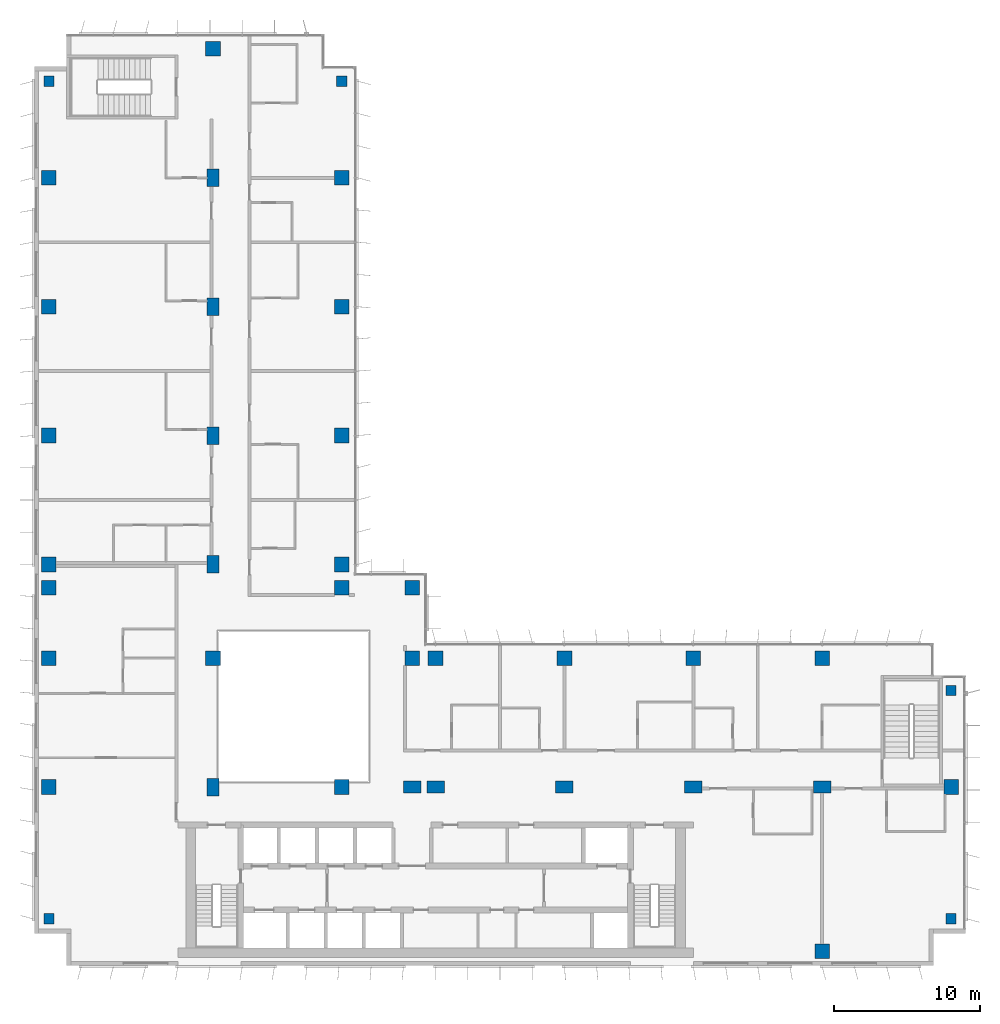
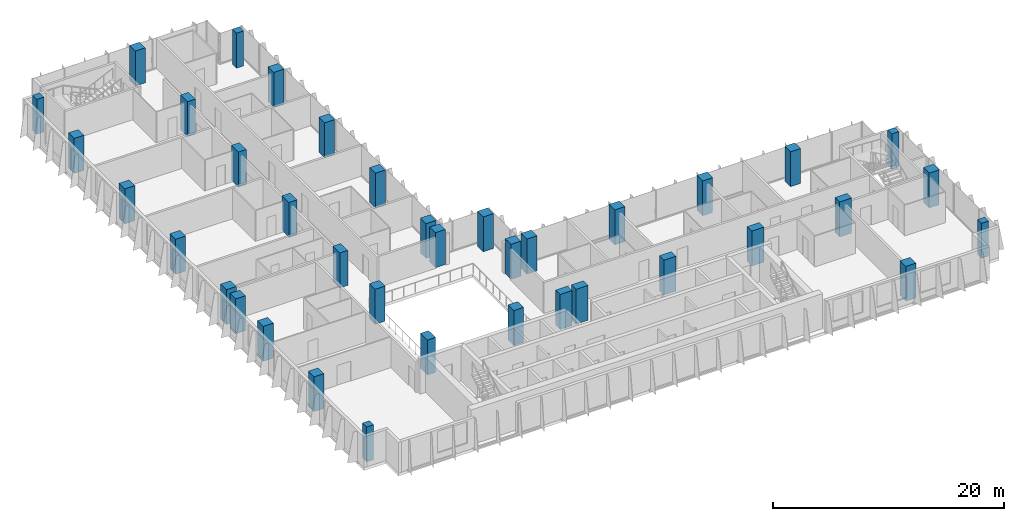
# One storey, part 1 of 20: 38 columns.
"""IFC4 building model written with IfcOpenShell, lengths in metres."""

from ifc_helpers import new_model, si_unit, direction, frame, origin, origin_2d, place, context, subcontext, project, spatial, rectangle, extrude, material, material_profile, profile_set, type_object, element, save


model = new_model("IFC4")

# Units and contexts
model_context = context("Model", 3, precision=1e-05, world=origin(), true_north=direction((0.0, 1.0)))
body_context = subcontext(model_context, "Body", "Model", "MODEL_VIEW")
ifc_project = project(units=[si_unit("LENGTHUNIT", "METRE"), si_unit("AREAUNIT", "SQUARE_METRE"), si_unit("VOLUMEUNIT", "CUBIC_METRE"), si_unit("PLANEANGLEUNIT", "RADIAN"), si_unit("MASSUNIT", "GRAM", prefix="KILO")], contexts=[model_context])

# Site, building, storey
site_placement = place(None, origin())
site = spatial("IfcSite", under=ifc_project, at=site_placement, CompositionType="ELEMENT")
building_placement = place(site_placement, origin())
building = spatial("IfcBuilding", under=site, at=building_placement, Name="Kemantara Hotel Tower", CompositionType="ELEMENT")
storey_placement = place(building_placement, frame((0.0, 0.0, 190.10009765625)))
storey = spatial("IfcBuildingStorey", under=building, at=storey_placement, Name="L47", CompositionType="ELEMENT", Elevation=190.10009765625)

# Columns
ifc_material = material(Name="Concrete fc 60 MPa", Category="concrete")
ifc_material_profile_1 = material_profile(ifc_material, rectangle(XDim=1.0, YDim=1.0, at=origin_2d()), Name="RC 1000X1000")
ifc_profile_set_1 = profile_set([ifc_material_profile_1], Name="Concrete fc 60 MPa")
column_type_1 = type_object("IfcColumnType", Name="RC COLUMN 1000X1000 FC60", PredefinedType="COLUMN", material=ifc_profile_set_1)
for number, where, z_axis, x_axis, name in (
    (1, (1.0, 12.199951171875, 0.0), (0.0, 0.0, 1.0), (1.0, 0.0, 0.0), "COLUMN 1/BA L47"),
    (2, (1.0, 21.0, 0.0), (0.0, 0.0, 1.0), (1.0, 0.0, 0.0), "COLUMN 1/C L47"),
    (3, (1.0, 25.800048828125, 0.0), (0.0, 0.0, 1.0), (1.0, 0.0, 0.0), "COLUMN 1/CA L47"),
    (4, (1.0, 27.39990234375, 0.0), (0.0, 0.0, 1.0), (1.0, 0.0, 0.0), "COLUMN 1/D L47"),
    (5, (1.0, 36.199951171875, 0.0), (0.0, 0.0, 1.0), (1.0, 0.0, 0.0), "COLUMN 1/E L47"),
    (6, (1.0, 45.0, 0.0), (0.0, 0.0, 1.0), (1.0, 0.0, 0.0), "COLUMN 1/F L47"),
    (7, (1.0, 53.800048828125, 0.0), (0.0, 0.0, 1.0), (1.0, 0.0, 0.0), "COLUMN 1/G L47"),
    (8, (12.199951171875, 21.0, 0.0), (0.0, 0.0, 1.0), (1.0, 0.0, 0.0), "COLUMN 2A/C L47"),
    (9, (12.199951171875, 62.60009765625, 0.0), (0.0, 0.0, 1.0), (1.0, 0.0, 0.0), "COLUMN 2A/H L47"),
    (10, (21.0, 12.199951171875, 0.0), (0.0, 0.0, 1.0), (1.0, 0.0, 0.0), "COLUMN 3/BA L47"),
    (11, (21.0, 25.800048828125, 0.0), (0.0, 0.0, 1.0), (1.0, 0.0, 0.0), "COLUMN 3/CA L47"),
    (12, (21.0, 27.39990234375, 0.0), (0.0, 0.0, 1.0), (1.0, 0.0, 0.0), "COLUMN 3/D L47"),
    (13, (21.0, 36.199951171875, 0.0), (0.0, 0.0, 1.0), (1.0, 0.0, 0.0), "COLUMN 3/E L47"),
    (14, (21.0, 45.0, 0.0), (0.0, 0.0, 1.0), (1.0, 0.0, 0.0), "COLUMN 3/F L47"),
    (15, (21.0, 53.800048828125, 0.0), (0.0, 0.0, 1.0), (1.0, 0.0, 0.0), "COLUMN 3/G L47"),
    (16, (25.800048828125, 21.0, 0.0), (0.0, 0.0, 1.0), (1.0, 0.0, 0.0), "COLUMN 3A/C L47"),
    (17, (25.800048828125, 25.800048828125, 0.0), (0.0, 0.0, 1.0), (1.0, 0.0, 0.0), "COLUMN 3A/CA L47"),
    (18, (27.39990234375, 21.0, 0.0), (0.0, 0.0, 1.0), (1.0, 0.0, 0.0), "COLUMN 4/C L47"),
    (19, (36.199951171875, 21.0, 0.0), (0.0, 0.0, 1.0), (1.0, 0.0, 0.0), "COLUMN 5/C L47"),
    (20, (45.0, 21.0, 0.0), (0.0, 0.0, 1.0), (1.0, 0.0, 0.0), "COLUMN 6/C L47"),
    (21, (53.800048828125, 1.0, 0.0), (0.0, 0.0, 1.0), (1.0, 0.0, 0.0), "COLUMN 7/A L47"),
    (22, (53.800048828125, 21.0, 0.0), (0.0, 0.0, 1.0), (1.0, 0.0, 0.0), "COLUMN 7/C L47"),
    (23, (62.60009765625, 12.199951171875, 0.0), (0.0, 0.0, 1.0), (1.0, 0.0, 0.0), "COLUMN 8/BA L47"),
):
    element("IfcColumn", number, at=place(storey_placement, frame(where, z_axis=z_axis, x_axis=x_axis)), inside=storey, type_object=column_type_1, Name=name, PredefinedType="COLUMN", context=body_context, shape_type="SweptSolid", body=[
        extrude(rectangle(XDim=1.0, YDim=1.0, at=origin_2d()), origin(), (0.0, 0.0, 1.0), 3.699951171875),
    ])
ifc_material_profile_2 = material_profile(ifc_material, rectangle(XDim=1.199951171875, YDim=0.800048828125, at=origin_2d()), Name="RC 1200X800")
ifc_profile_set_2 = profile_set([ifc_material_profile_2], Name="Concrete fc 60 MPa")
column_type_2 = type_object("IfcColumnType", Name="RC COLUMN 1200X800 FC60", PredefinedType="COLUMN", material=ifc_profile_set_2)
for number, where, z_axis, x_axis, name in (
    (24, (12.199951171875, 12.199951171875, 0.0), (0.0, 0.0, 1.0), (0.0, 1.0, 0.0), "COLUMN 2A/BA L47"),
    (25, (12.199951171875, 27.39990234375, 0.0), (0.0, 0.0, 1.0), (0.0, 1.0, 0.0), "COLUMN 2A/D L47"),
    (26, (12.199951171875, 36.199951171875, 0.0), (0.0, 0.0, 1.0), (0.0, 1.0, 0.0), "COLUMN 2A/E L47"),
    (27, (12.199951171875, 45.0, 0.0), (0.0, 0.0, 1.0), (0.0, 1.0, 0.0), "COLUMN 2A/F L47"),
    (28, (12.199951171875, 53.800048828125, 0.0), (0.0, 0.0, 1.0), (0.0, 1.0, 0.0), "COLUMN 2A/G L47"),
    (29, (25.800048828125, 12.199951171875, 0.0), (0.0, 0.0, 1.0), (1.0, 0.0, 0.0), "COLUMN 3A/BA L47"),
    (30, (27.39990234375, 12.199951171875, 0.0), (0.0, 0.0, 1.0), (1.0, 0.0, 0.0), "COLUMN 4/BA L47"),
    (31, (36.199951171875, 12.199951171875, 0.0), (0.0, 0.0, 1.0), (1.0, 0.0, 0.0), "COLUMN 5/BA L47"),
    (32, (45.0, 12.199951171875, 0.0), (0.0, 0.0, 1.0), (1.0, 0.0, 0.0), "COLUMN 6/BA L47"),
    (33, (53.800048828125, 12.199951171875, 0.0), (0.0, 0.0, 1.0), (1.0, 0.0, 0.0), "COLUMN 7/BA L47"),
):
    element("IfcColumn", number, at=place(storey_placement, frame(where, z_axis=z_axis, x_axis=x_axis)), inside=storey, type_object=column_type_2, Name=name, PredefinedType="COLUMN", context=body_context, shape_type="SweptSolid", body=[
        extrude(rectangle(XDim=1.199951171875, YDim=0.800048828125, at=origin_2d()), origin(), (0.0, 0.0, 1.0), 3.699951171875),
    ])
ifc_material_profile_3 = material_profile(ifc_material, rectangle(XDim=0.699951171875, YDim=0.699951171875, at=origin_2d()), Name="RC 700X700")
ifc_profile_set_3 = profile_set([ifc_material_profile_3], Name="Concrete fc 60 MPa")
column_type_3 = type_object("IfcColumnType", Name="RC COLUMN 700X700 FC60", PredefinedType="COLUMN", material=ifc_profile_set_3)
for number, where, z_axis, x_axis, name in (
    (34, (1.0, 3.199951171875, 0.0), (0.0, 0.0, 1.0), (1.0, 0.0, 0.0), "COLUMN notch corner L47"),
    (35, (1.0, 60.39990234375, 0.0), (0.0, 0.0, 1.0), (1.0, 0.0, 0.0), "COLUMN notch corner L47"),
    (36, (21.0, 60.39990234375, 0.0), (0.0, 0.0, 1.0), (1.0, 0.0, 0.0), "COLUMN notch corner L47"),
    (37, (62.60009765625, 3.199951171875, 0.0), (0.0, 0.0, 1.0), (1.0, 0.0, 0.0), "COLUMN notch corner L47"),
    (38, (62.60009765625, 18.800048828125, 0.0), (0.0, 0.0, 1.0), (1.0, 0.0, 0.0), "COLUMN notch corner L47"),
):
    element("IfcColumn", number, at=place(storey_placement, frame(where, z_axis=z_axis, x_axis=x_axis)), inside=storey, type_object=column_type_3, Name=name, PredefinedType="COLUMN", context=body_context, shape_type="SweptSolid", body=[
        extrude(rectangle(XDim=0.699951171875, YDim=0.699951171875, at=origin_2d()), origin(), (0.0, 0.0, 1.0), 3.699951171875),
    ])

save(model, "model.ifc")
